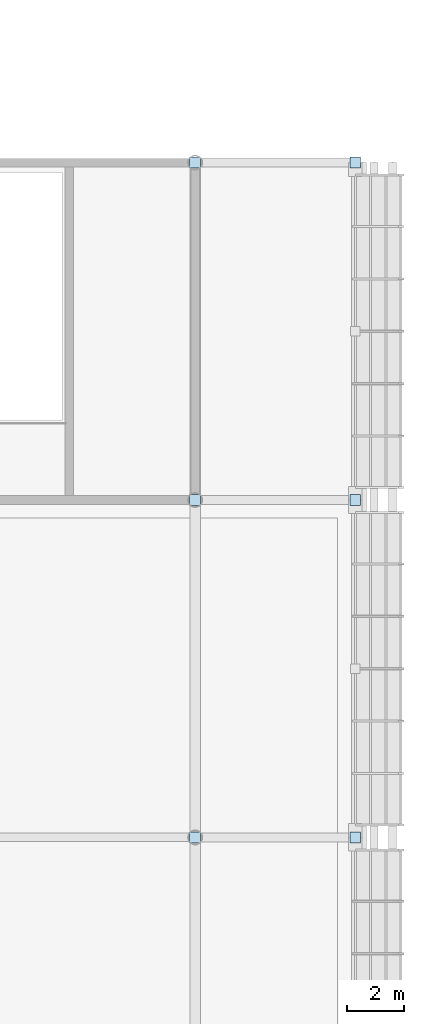
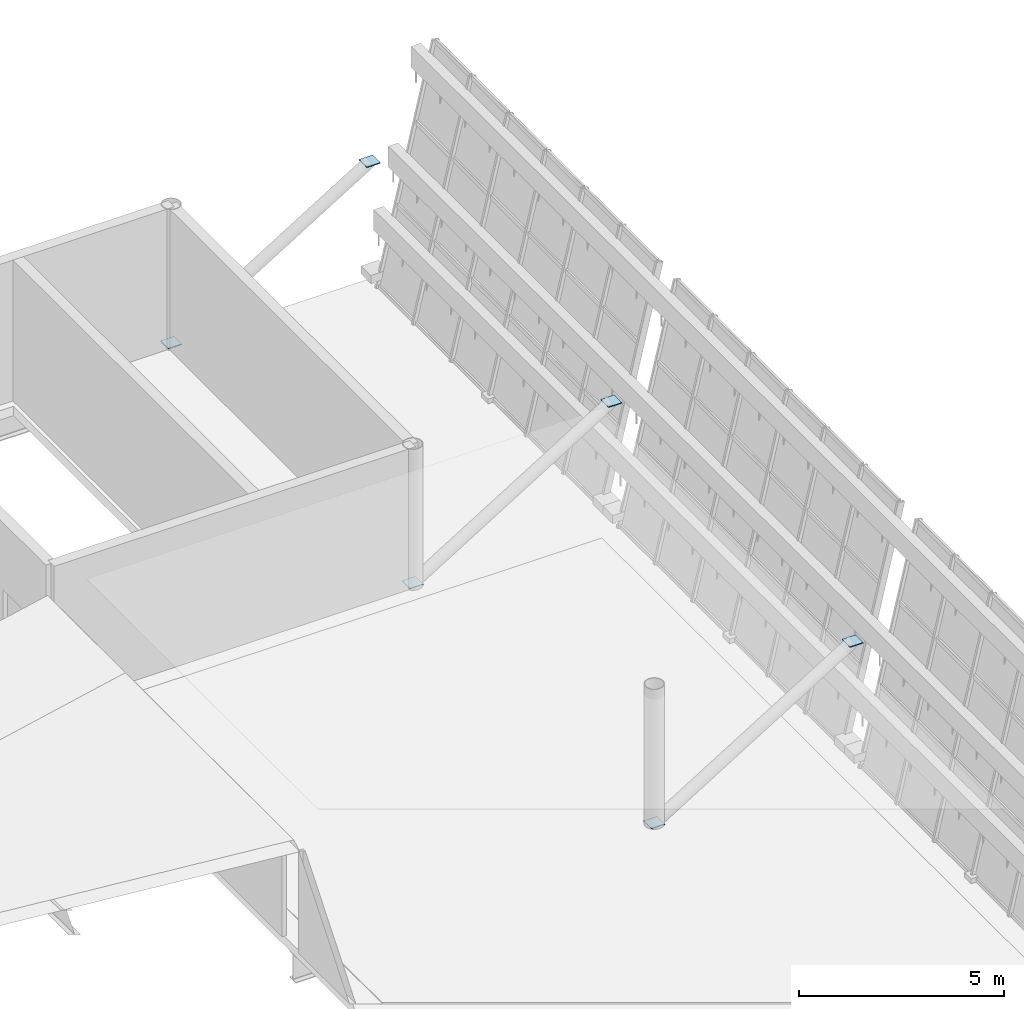
# One storey, part 123 of 157: 6 plates.
"""IFC4 building model written with IfcOpenShell, lengths in metres."""

from ifc_helpers import new_model, si_unit, direction, frame, origin, origin_2d, place, context, subcontext, project, spatial, rectangle, extrude, material, layer, layer_set, type_object, element, save


model = new_model("IFC4")

# Units and contexts
model_context = context("Model", 3, precision=1e-05, world=origin(), true_north=direction((0.0, 1.0)))
body_context = subcontext(model_context, "Body", "Model", "MODEL_VIEW")
ifc_project = project(units=[si_unit("LENGTHUNIT", "METRE"), si_unit("AREAUNIT", "SQUARE_METRE"), si_unit("VOLUMEUNIT", "CUBIC_METRE"), si_unit("PLANEANGLEUNIT", "RADIAN"), si_unit("MASSUNIT", "GRAM", prefix="KILO")], contexts=[model_context])

# Site, building, storey
site_placement = place(None, origin())
site = spatial("IfcSite", under=ifc_project, at=site_placement, CompositionType="ELEMENT")
building_placement = place(site_placement, origin())
building = spatial("IfcBuilding", under=site, at=building_placement, Name="Brelvane Convention Centre", CompositionType="ELEMENT")
storey_placement = place(building_placement, frame((0.0, 0.0, 10.800048828125)))
storey = spatial("IfcBuildingStorey", under=building, at=storey_placement, Name="L02", CompositionType="ELEMENT", Elevation=10.800048828125)

# Plates
ifc_material = material(Name="Steel E450 (450 MPa)", Category="steel")
ifc_layer = layer(ifc_material, 0.02490234375)
ifc_layer_set = layer_set([ifc_layer], Name="Steel E450 (450 MPa)")
plate_type = type_object("IfcPlateType", Name="Steel Node Gusset Plate ND-3", PredefinedType="SHEET", material=ifc_layer_set)
for number, where, z_axis, x_axis, name in (
    (1, (224.39990234375, 64.199951171875, 0.03759765625), (0.0, 0.0, 1.0), (1.0, 0.0, 0.0), "Plenary Strut Node L03-Y64-bot"),
    (2, (230.0, 64.199951171875, 3.487548828125), (0.0, 0.0, 1.0), (1.0, 0.0, 0.0), "Plenary Strut Node L03-Y64-top"),
    (3, (224.39990234375, 76.0, 0.03759765625), (0.0, 0.0, 1.0), (1.0, 0.0, 0.0), "Plenary Strut Node L03-Y76-bot"),
    (4, (230.0, 76.0, 3.487548828125), (0.0, 0.0, 1.0), (1.0, 0.0, 0.0), "Plenary Strut Node L03-Y76-top"),
    (5, (224.39990234375, 87.800048828125, 0.03759765625), (0.0, 0.0, 1.0), (1.0, 0.0, 0.0), "Plenary Strut Node L03-Y87-bot"),
    (6, (230.0, 87.800048828125, 3.487548828125), (0.0, 0.0, 1.0), (1.0, 0.0, 0.0), "Plenary Strut Node L03-Y87-top"),
):
    element("IfcPlate", number, at=place(storey_placement, frame(where, z_axis=z_axis, x_axis=x_axis)), inside=storey, type_object=plate_type, Name=name, PredefinedType="SHEET", context=body_context, shape_type="SweptSolid", body=[
        extrude(rectangle(XDim=0.3798828125, YDim=0.3798828125, at=origin_2d()), origin(), (0.0, 0.0, 1.0), 0.02490234375),
    ])

save(model, "model.ifc")
